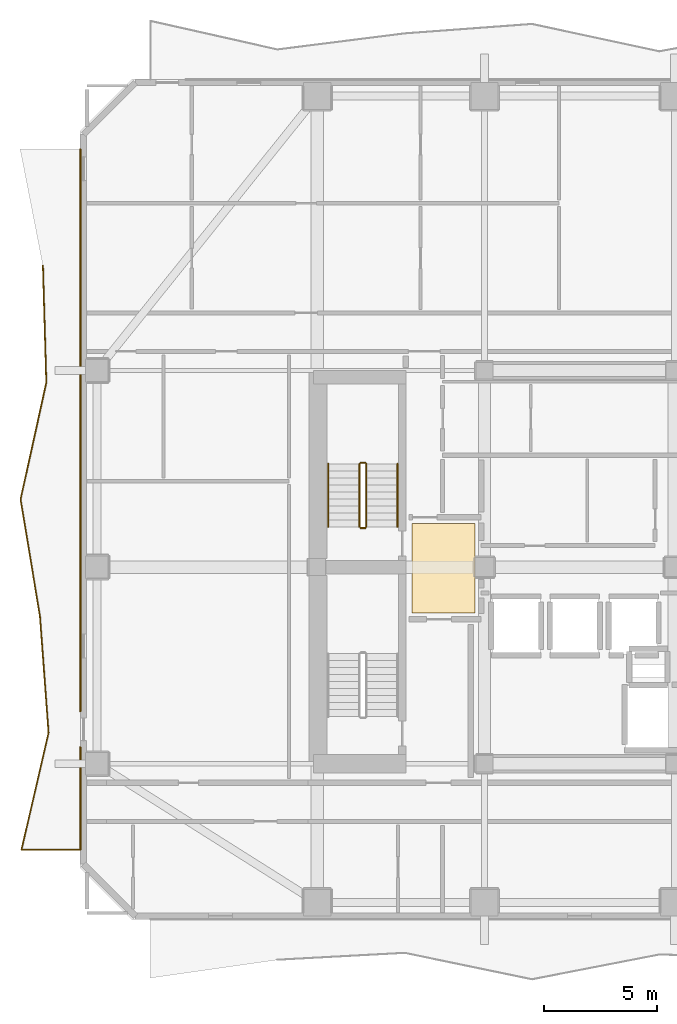
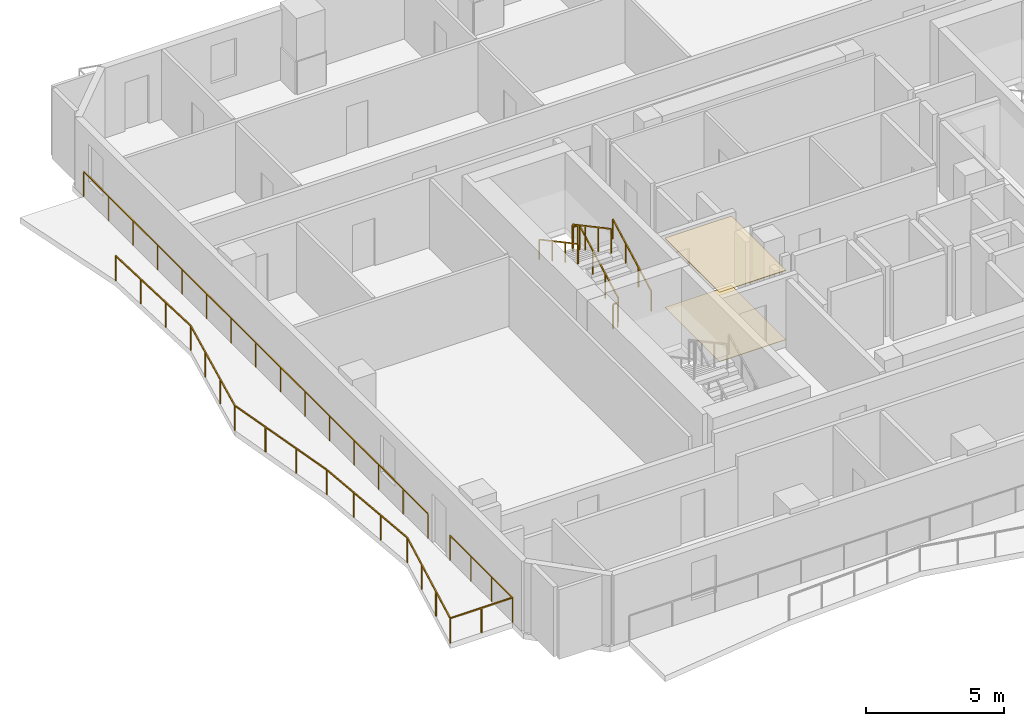
# One storey, part 8 of 10: 8 railings, 2 coverings.
"""IFC4 building model written with IfcOpenShell, lengths in metres."""

import ifcopenshell
import ifcopenshell.guid

model = None  # the IFC model being written
_history = None  # IfcOwnerHistory: only IFC2X3 demands one
_inside = {}  # id of a spatial element -> (the spatial element, [elements in it])
_under = {}  # id of a project, library or spatial element -> (it, [spatial elements below it])
_declared = {}  # id of a project -> (the project, [libraries it declares])
_typed = {}  # id of a type object -> (the type object, [elements of that type])
_made_of = {}  # id of a material, layer set ... -> (it, [elements and type objects made of it])


def new_model(schema):
    """Start an empty IFC model of exactly this schema.

    Asked for "IFC4X3", IfcOpenShell would pick the latest addendum, in which some entities
    have other attributes; the version numbers below select the first issue.
    IFC2X3 requires an IfcOwnerHistory on every rooted entity: one is made here for all.
    """
    global model, _history
    if schema == "IFC4X3":
        model = ifcopenshell.file(schema_version=(4, 3, 0, 0))
    else:
        model = ifcopenshell.file(schema=schema)
    _inside.clear()
    _under.clear()
    _declared.clear()
    _typed.clear()
    _made_of.clear()
    _history = None
    if model.schema == "IFC2X3":
        org = make("IfcOrganization", Name="unknown")
        user = make(
            "IfcPersonAndOrganization",
            ThePerson=make("IfcPerson", FamilyName="unknown"),
            TheOrganization=org,
        )
        app = make(
            "IfcApplication",
            ApplicationDeveloper=org,
            Version="unknown",
            ApplicationFullName="unknown",
            ApplicationIdentifier="unknown",
        )
        _history = make(
            "IfcOwnerHistory",
            OwningUser=user,
            OwningApplication=app,
            ChangeAction="ADDED",
            CreationDate=0,
        )
    return model


def make(cls, **values):
    """One entity of the class cls with the attributes given. An attribute that is None is left unset."""
    return model.create_entity(
        cls, **{name: value for name, value in values.items() if value is not None}
    )


def rooted(cls, **values):
    """An entity with a GlobalId (a new one), such as an element, a storey or a relation."""
    return make(cls, GlobalId=ifcopenshell.guid.new(), OwnerHistory=_history, **values)


def si_unit(unit_type, name, prefix=None):
    """IfcSIUnit, for example si_unit("LENGTHUNIT", "METRE", prefix="MILLI")."""
    return make("IfcSIUnit", UnitType=unit_type, Prefix=prefix, Name=name)


def assignment(units):
    """IfcUnitAssignment: the units of a project."""
    return None if units is None else make("IfcUnitAssignment", Units=units)


def point(xyz):
    """IfcCartesianPoint."""
    return None if xyz is None else make("IfcCartesianPoint", Coordinates=xyz)


def direction(xyz):
    """IfcDirection."""
    return None if xyz is None else make("IfcDirection", DirectionRatios=xyz)


def frame(location, z_axis=None, x_axis=None):
    """IfcAxis2Placement3D, a coordinate frame: its origin and axes. An axis left out is left unset."""
    return make(
        "IfcAxis2Placement3D",
        Location=point(location),
        Axis=direction(z_axis),
        RefDirection=direction(x_axis),
    )


def frame_2d(location, x_axis=None):
    """IfcAxis2Placement2D, a coordinate frame in the plane: its origin and x axis."""
    return make(
        "IfcAxis2Placement2D", Location=point(location), RefDirection=direction(x_axis)
    )


def origin():
    """The frame at (0, 0, 0) with its axes left unset."""
    return frame((0.0, 0.0, 0.0))


def origin_2d():
    """The frame at (0, 0) in the plane with its x axis left unset."""
    return frame_2d((0.0, 0.0))


def place(relative_to, where):
    """IfcLocalPlacement: puts the frame where relative to a parent placement (None: the world)."""
    return make(
        "IfcLocalPlacement", PlacementRelTo=relative_to, RelativePlacement=where
    )


def context(
    kind, dimensions, precision=None, world=None, true_north=None, identifier=None
):
    """IfcGeometricRepresentationContext, for example the 3D "Model" context."""
    return make(
        "IfcGeometricRepresentationContext",
        ContextIdentifier=identifier,
        ContextType=kind,
        CoordinateSpaceDimension=dimensions,
        Precision=precision,
        WorldCoordinateSystem=world,
        TrueNorth=true_north,
    )


def subcontext(parent, identifier, kind, view, scale=None):
    """IfcGeometricRepresentationSubContext, for example "Body" below "Model"."""
    return make(
        "IfcGeometricRepresentationSubContext",
        ContextIdentifier=identifier,
        ContextType=kind,
        ParentContext=parent,
        TargetScale=scale,
        TargetView=view,
    )


def project(units=None, contexts=None):
    """IfcProject with its units and contexts."""
    return rooted(
        "IfcProject",
        Name="project",
        RepresentationContexts=contexts,
        UnitsInContext=assignment(units),
    )


def spatial(cls, under=None, at=None, **own):
    """A site, building, storey or space (cls), placed at a placement, below another one or the project."""
    s = rooted(cls, ObjectPlacement=at, **own)
    if under is not None:
        _under.setdefault(under.id(), (under, []))[1].append(s)
    return s


def polyline(points):
    """IfcPolyline through the points."""
    return make("IfcPolyline", Points=[point(p) for p in points])


def profile(cls, at=None, kind="AREA", **sizes):
    """A parametric profile (cls). Its sizes go by their IFC names, for example OverallWidth=200.0."""
    return make(cls, ProfileType=kind, Position=at, **sizes)


def rectangle(**sizes):
    """IfcRectangleProfileDef."""
    return profile("IfcRectangleProfileDef", **sizes)


def outline(outer, holes=None, kind="AREA"):
    """IfcArbitraryClosedProfileDef: a profile drawn as a closed curve; with holes, ...WithVoids."""
    if holes is None:
        return make("IfcArbitraryClosedProfileDef", ProfileType=kind, OuterCurve=outer)
    return make(
        "IfcArbitraryProfileDefWithVoids",
        ProfileType=kind,
        OuterCurve=outer,
        InnerCurves=holes,
    )


def extrude(swept, where, along, depth):
    """IfcExtrudedAreaSolid: the profile swept, set in the frame where, extruded along a direction by depth."""
    return make(
        "IfcExtrudedAreaSolid",
        SweptArea=swept,
        Position=where,
        ExtrudedDirection=direction(along),
        Depth=depth,
    )


def shape(context_of_items, identifier, shape_type, items):
    """IfcShapeRepresentation: the items that make up one representation, for example the "Body"."""
    return make(
        "IfcShapeRepresentation",
        ContextOfItems=context_of_items,
        RepresentationIdentifier=identifier,
        RepresentationType=shape_type,
        Items=items,
    )


def material(Name=None, Category=None):
    """IfcMaterial."""
    return make("IfcMaterial", Name=Name, Category=Category)


def layer(
    of_material, thickness, ventilated=None, Name=None, Category=None, Priority=None
):
    """IfcMaterialLayer: one layer of a wall or slab, of a material (None: an air gap)."""
    return make(
        "IfcMaterialLayer",
        Material=of_material,
        LayerThickness=thickness,
        IsVentilated=ventilated,
        Name=Name,
        Category=Category,
        Priority=Priority,
    )


def layer_set(layers, Name=None):
    """IfcMaterialLayerSet."""
    return make("IfcMaterialLayerSet", MaterialLayers=layers, LayerSetName=Name)


def made_of(thing, what):
    """Note that an element or type object is made of a material, layer set ...; save() writes the relation."""
    if what is not None:
        _made_of.setdefault(what.id(), (what, []))[1].append(thing)
    return thing


def type_object(cls, material=None, **own):
    """A type object (cls), such as IfcWallType, which elements share."""
    return made_of(rooted(cls, **own), material)


def element(
    cls,
    number,
    at=None,
    inside=None,
    cuts=None,
    type_object=None,
    material=None,
    context=None,
    identifier="Body",
    shape_type=None,
    held_by="IfcProductDefinitionShape",
    body=None,
    shapes=None,
    **own,
):
    """One element of the class cls, such as IfcWall. Its Tag is "e" and its number.

    at: its placement. inside: the storey or other place that contains it. cuts: it is an
    opening in that element (IfcRelVoidsElement). A single representation is given by context,
    identifier, shape_type and body (its items); several are given by shapes. held_by: the class
    of the entity that holds the representations. save() writes the other relations.
    """
    e = rooted(cls, Tag="e%d" % number, ObjectPlacement=at, **own)
    if body is not None:
        shapes = [shape(context, identifier, shape_type, body)]
    if shapes is not None:
        e.Representation = make(held_by, Representations=shapes)
    if inside is not None:
        _inside.setdefault(inside.id(), (inside, []))[1].append(e)
    if cuts is not None:
        rooted(
            "IfcRelVoidsElement", RelatingBuildingElement=cuts, RelatedOpeningElement=e
        )
    if type_object is not None:
        _typed.setdefault(type_object.id(), (type_object, []))[1].append(e)
    return made_of(e, material)


def aggregate(whole, parts):
    """IfcRelAggregates: a whole, such as a stair, and the parts it consists of."""
    return rooted("IfcRelAggregates", RelatingObject=whole, RelatedObjects=parts)


def save(model, path):
    """Write the relations noted so far, then the file.

    IfcRelAggregates (storeys below a building ...), IfcRelContainedInSpatialStructure (elements
    in a storey), IfcRelDefinesByType, IfcRelAssociatesMaterial and IfcRelDeclares: one each for
    every whole, place, type object, material and project.
    """
    for whole, parts in _under.values():
        aggregate(whole, parts)
    for where, things in _inside.values():
        rooted(
            "IfcRelContainedInSpatialStructure",
            RelatedElements=things,
            RelatingStructure=where,
        )
    for kind, things in _typed.values():
        rooted("IfcRelDefinesByType", RelatedObjects=things, RelatingType=kind)
    for what, things in _made_of.values():
        rooted("IfcRelAssociatesMaterial", RelatedObjects=things, RelatingMaterial=what)
    for by, libraries in _declared.values():
        rooted("IfcRelDeclares", RelatingContext=by, RelatedDefinitions=libraries)
    model.write(path)


model = new_model("IFC4")

# Units and contexts
model_context = context("Model", 3, precision=1e-05, world=origin(), true_north=direction((0.0, 1.0)))
body_context = subcontext(model_context, "Body", "Model", "MODEL_VIEW")
ifc_project = project(units=[si_unit("LENGTHUNIT", "METRE"), si_unit("AREAUNIT", "SQUARE_METRE"), si_unit("VOLUMEUNIT", "CUBIC_METRE"), si_unit("PLANEANGLEUNIT", "RADIAN"), si_unit("MASSUNIT", "GRAM", prefix="KILO")], contexts=[model_context])

# Site, building, storey
site_placement = place(None, origin())
site = spatial("IfcSite", under=ifc_project, at=site_placement, CompositionType="ELEMENT")
building_placement = place(site_placement, origin())
building = spatial("IfcBuilding", under=site, at=building_placement, Name="Solanera Arch Residences", CompositionType="ELEMENT")
storey_placement = place(building_placement, frame((0.0, 0.0, 183.52001953125)))
storey = spatial("IfcBuildingStorey", under=building, at=storey_placement, Name="L53", CompositionType="ELEMENT", Elevation=183.52001953125)

# Railings
ifc_material_1 = material(Name="Steel S355 (ASTM A992 / A572 Grade 50)", Category="steel")
railing_type_1 = type_object("IfcRailingType", Name="Balustrade Railing BL-1100", PredefinedType="BALUSTRADE", material=ifc_material_1)
railing_1_placement = place(storey_placement, frame((1.257080078125, 44.032958984375, 0.0)))
element("IfcRailing", 1, at=railing_1_placement, inside=storey, type_object=railing_type_1, Name="L53 W Balcony Balustrade 1", PredefinedType="BALUSTRADE", context=body_context, shape_type="SweptSolid", body=[
    extrude(rectangle(XDim=0.048095703125, YDim=0.048095703125, at=origin_2d()), frame((0.0, 0.0, 1.09619140625), z_axis=(0.029004804967, -0.999579272138, 0.0), x_axis=(0.999579272138, 0.029004804967, 0.0)), (0.0, 0.0, 1.0), 5.168212890625),
    extrude(rectangle(XDim=0.048095703125, YDim=0.048095703125, at=origin_2d()), frame((0.14990234375, -5.166015625, 1.09619140625), z_axis=(-0.215254354327, -0.976558018217, 0.0), x_axis=(0.976558018217, -0.215254354327, 0.0)), (0.0, 0.0, 1.0), 5.291015625),
    extrude(rectangle(XDim=0.048095703125, YDim=0.048095703125, at=origin_2d()), frame((-0.989013671875, -10.3330078125, 1.09619140625), z_axis=(0.16379426133, -0.986494520996, 0.0), x_axis=(0.986494520996, 0.16379426133, 0.0)), (0.0, 0.0, 1.0), 5.23779296875),
    extrude(rectangle(XDim=0.048095703125, YDim=0.048095703125, at=origin_2d()), frame((-0.131103515625, -15.5, 1.09619140625), z_axis=(0.073383836115, -0.997303771474, 0.0), x_axis=(0.997303771474, 0.073383836115, 0.0)), (0.0, 0.0, 1.0), 5.179931640625),
    extrude(rectangle(XDim=0.048095703125, YDim=0.048095703125, at=origin_2d()), frame((0.2490234375, -20.666015625, 1.09619140625), z_axis=(-0.225340258315, -0.974280128086, 0.0), x_axis=(0.974280128086, -0.225340258315, 0.0)), (0.0, 0.0, 1.0), 5.303466796875),
    extrude(rectangle(XDim=0.048095703125, YDim=0.048095703125, at=origin_2d()), frame((-0.946044921875, -25.8330078125, 1.09619140625), z_axis=(1.0, 0.0, 0.0), x_axis=(0.0, 1.0, 0.0)), (0.0, 0.0, 1.0), 2.60888671875),
    extrude(rectangle(XDim=0.048095703125, YDim=0.048095703125, at=origin_2d()), frame((1.662841796875, -25.8330078125, 1.09619140625), z_axis=(0.0, 1.0, 0.0), x_axis=(-1.0, 0.0, 0.0)), (0.0, 0.0, 1.0), 4.52197265625),
    extrude(rectangle(XDim=0.0419921875, YDim=0.0419921875, at=origin_2d()), origin(), (0.0, 0.0, 1.0), 1.072021484375),
    extrude(rectangle(XDim=0.0419921875, YDim=0.0419921875, at=origin_2d()), frame((0.050048828125, -1.721923828125, 0.0)), (0.0, 0.0, 1.0), 1.072021484375),
    extrude(rectangle(XDim=0.0419921875, YDim=0.0419921875, at=origin_2d()), frame((0.099853515625, -3.444091796875, 0.0)), (0.0, 0.0, 1.0), 1.072021484375),
    extrude(rectangle(XDim=0.0419921875, YDim=0.0419921875, at=origin_2d()), frame((0.14990234375, -5.166015625, 0.0)), (0.0, 0.0, 1.0), 1.072021484375),
    extrude(rectangle(XDim=0.0419921875, YDim=0.0419921875, at=origin_2d()), frame((-0.229736328125, -6.888427734375, 0.0)), (0.0, 0.0, 1.0), 1.072021484375),
    extrude(rectangle(XDim=0.0419921875, YDim=0.0419921875, at=origin_2d()), frame((-0.609375, -8.610595703125, 0.0)), (0.0, 0.0, 1.0), 1.072021484375),
    extrude(rectangle(XDim=0.0419921875, YDim=0.0419921875, at=origin_2d()), frame((-0.989013671875, -10.3330078125, 0.0)), (0.0, 0.0, 1.0), 1.072021484375),
    extrude(rectangle(XDim=0.0419921875, YDim=0.0419921875, at=origin_2d()), frame((-0.703125, -12.055419921875, 0.0)), (0.0, 0.0, 1.0), 1.072021484375),
    extrude(rectangle(XDim=0.0419921875, YDim=0.0419921875, at=origin_2d()), frame((-0.4169921875, -13.777587890625, 0.0)), (0.0, 0.0, 1.0), 1.072021484375),
    extrude(rectangle(XDim=0.0419921875, YDim=0.0419921875, at=origin_2d()), frame((-0.131103515625, -15.5, 0.0)), (0.0, 0.0, 1.0), 1.072021484375),
    extrude(rectangle(XDim=0.0419921875, YDim=0.0419921875, at=origin_2d()), frame((-0.00439453125, -17.221923828125, 0.0)), (0.0, 0.0, 1.0), 1.072021484375),
    extrude(rectangle(XDim=0.0419921875, YDim=0.0419921875, at=origin_2d()), frame((0.122314453125, -18.944091796875, 0.0)), (0.0, 0.0, 1.0), 1.072021484375),
    extrude(rectangle(XDim=0.0419921875, YDim=0.0419921875, at=origin_2d()), frame((0.2490234375, -20.666015625, 0.0)), (0.0, 0.0, 1.0), 1.072021484375),
    extrude(rectangle(XDim=0.0419921875, YDim=0.0419921875, at=origin_2d()), frame((-0.1494140625, -22.388427734375, 0.0)), (0.0, 0.0, 1.0), 1.072021484375),
    extrude(rectangle(XDim=0.0419921875, YDim=0.0419921875, at=origin_2d()), frame((-0.547607421875, -24.110595703125, 0.0)), (0.0, 0.0, 1.0), 1.072021484375),
    extrude(rectangle(XDim=0.0419921875, YDim=0.0419921875, at=origin_2d()), frame((-0.946044921875, -25.8330078125, 0.0)), (0.0, 0.0, 1.0), 1.072021484375),
    extrude(rectangle(XDim=0.0419921875, YDim=0.0419921875, at=origin_2d()), frame((0.3583984375, -25.8330078125, 0.0)), (0.0, 0.0, 1.0), 1.072021484375),
    extrude(rectangle(XDim=0.0419921875, YDim=0.0419921875, at=origin_2d()), frame((1.662841796875, -25.8330078125, 0.0)), (0.0, 0.0, 1.0), 1.072021484375),
    extrude(rectangle(XDim=0.0419921875, YDim=0.0419921875, at=origin_2d()), frame((1.662841796875, -24.32568359375, 0.0)), (0.0, 0.0, 1.0), 1.072021484375),
    extrude(rectangle(XDim=0.0419921875, YDim=0.0419921875, at=origin_2d()), frame((1.662841796875, -22.818359375, 0.0)), (0.0, 0.0, 1.0), 1.072021484375),
    extrude(rectangle(XDim=0.0419921875, YDim=0.0419921875, at=origin_2d()), frame((1.662841796875, -21.31103515625, 0.0)), (0.0, 0.0, 1.0), 1.072021484375),
])
railing_2_placement = place(storey_placement, frame((2.919921875, 24.322021484375, 0.0)))
element("IfcRailing", 2, at=railing_2_placement, inside=storey, type_object=railing_type_1, Name="L53 W Balcony Balustrade 2", PredefinedType="BALUSTRADE", context=body_context, shape_type="SweptSolid", body=[
    extrude(rectangle(XDim=0.048095703125, YDim=0.048095703125, at=origin_2d()), frame((0.0, 0.0, 1.09619140625), z_axis=(0.0, 1.0, 0.0), x_axis=(-1.0, 0.0, 0.0)), (0.0, 0.0, 1.0), 24.8779296875),
    extrude(rectangle(XDim=0.0419921875, YDim=0.0419921875, at=origin_2d()), origin(), (0.0, 0.0, 1.0), 1.072021484375),
    extrude(rectangle(XDim=0.0419921875, YDim=0.0419921875, at=origin_2d()), frame((0.0, 1.777099609375, 0.0)), (0.0, 0.0, 1.0), 1.072021484375),
    extrude(rectangle(XDim=0.0419921875, YDim=0.0419921875, at=origin_2d()), frame((0.0, 3.553955078125, 0.0)), (0.0, 0.0, 1.0), 1.072021484375),
    extrude(rectangle(XDim=0.0419921875, YDim=0.0419921875, at=origin_2d()), frame((0.0, 5.3310546875, 0.0)), (0.0, 0.0, 1.0), 1.072021484375),
    extrude(rectangle(XDim=0.0419921875, YDim=0.0419921875, at=origin_2d()), frame((0.0, 7.10791015625, 0.0)), (0.0, 0.0, 1.0), 1.072021484375),
    extrude(rectangle(XDim=0.0419921875, YDim=0.0419921875, at=origin_2d()), frame((0.0, 8.885009765625, 0.0)), (0.0, 0.0, 1.0), 1.072021484375),
    extrude(rectangle(XDim=0.0419921875, YDim=0.0419921875, at=origin_2d()), frame((0.0, 10.661865234375, 0.0)), (0.0, 0.0, 1.0), 1.072021484375),
    extrude(rectangle(XDim=0.0419921875, YDim=0.0419921875, at=origin_2d()), frame((0.0, 12.43896484375, 0.0)), (0.0, 0.0, 1.0), 1.072021484375),
    extrude(rectangle(XDim=0.0419921875, YDim=0.0419921875, at=origin_2d()), frame((0.0, 14.216064453125, 0.0)), (0.0, 0.0, 1.0), 1.072021484375),
    extrude(rectangle(XDim=0.0419921875, YDim=0.0419921875, at=origin_2d()), frame((0.0, 15.992919921875, 0.0)), (0.0, 0.0, 1.0), 1.072021484375),
    extrude(rectangle(XDim=0.0419921875, YDim=0.0419921875, at=origin_2d()), frame((0.0, 17.77001953125, 0.0)), (0.0, 0.0, 1.0), 1.072021484375),
    extrude(rectangle(XDim=0.0419921875, YDim=0.0419921875, at=origin_2d()), frame((0.0, 19.546875, 0.0)), (0.0, 0.0, 1.0), 1.072021484375),
    extrude(rectangle(XDim=0.0419921875, YDim=0.0419921875, at=origin_2d()), frame((0.0, 21.323974609375, 0.0)), (0.0, 0.0, 1.0), 1.072021484375),
    extrude(rectangle(XDim=0.0419921875, YDim=0.0419921875, at=origin_2d()), frame((0.0, 23.100830078125, 0.0)), (0.0, 0.0, 1.0), 1.072021484375),
    extrude(rectangle(XDim=0.0419921875, YDim=0.0419921875, at=origin_2d()), frame((0.0, 24.8779296875, 0.0)), (0.0, 0.0, 1.0), 1.072021484375),
])

# Covering
ifc_material_2 = material(Name="Porcelain Acoustic Floor Tile", Category="ceramic")
ifc_layer_1 = layer(ifc_material_2, 0.02001953125)
ifc_layer_set_1 = layer_set([ifc_layer_1], Name="Porcelain Acoustic Floor Tile")
covering_type_1 = type_object("IfcCoveringType", Name="Porcelain Acoustic Floor Finish FLR-20", PredefinedType="FLOORING", material=ifc_layer_set_1)
covering_1_placement = place(storey_placement, origin())
element("IfcCovering", 3, at=covering_1_placement, inside=storey, type_object=covering_type_1, Name="L53-FFL-W Porcelain Floor Finish", PredefinedType="FLOORING", context=body_context, shape_type="SweptSolid", body=[
    extrude(outline(polyline([(20.375, 28.675048828125), (17.594970703125, 28.675048828125), (17.594970703125, 32.625), (20.375, 32.625), (20.375, 28.675048828125)])), origin(), (0.0, 0.0, 1.0), 0.02001953125),
])

# Railings
ifc_material_3 = material(Name="Steel S355 (ASTM A992 / A572 Grade 50)", Category="steel")
railing_type_2 = type_object("IfcRailingType", Name="Stair Guardrail GR-1100", PredefinedType="GUARDRAIL", material=ifc_material_3)
railing_3_placement = place(storey_placement, frame((15.570068359375, 32.47998046875, 0.15087890625)))
element("IfcRailing", 4, at=railing_3_placement, inside=storey, type_object=railing_type_2, Name="L53 ST-T1 stair guard 1", PredefinedType="GUARDRAIL", context=body_context, shape_type="SweptSolid", body=[
    extrude(rectangle(XDim=0.048095703125, YDim=0.048095703125, at=origin_2d()), frame((0.0, 0.0, 1.076171875), z_axis=(0.0, 0.881548766853, 0.472092969298), x_axis=(-1.0, 0.0, 0.0)), (0.0, 0.0, 1.0), 3.1650390625),
    extrude(rectangle(XDim=0.0419921875, YDim=0.0419921875, at=origin_2d()), origin(), (0.0, 0.0, 1.0), 1.052001953125),
    extrude(rectangle(XDim=0.0419921875, YDim=0.0419921875, at=origin_2d()), frame((0.0, 0.929931640625, 0.498046875)), (0.0, 0.0, 1.0), 1.052001953125),
    extrude(rectangle(XDim=0.0419921875, YDim=0.0419921875, at=origin_2d()), frame((0.0, 1.860107421875, 0.99609375)), (0.0, 0.0, 1.0), 1.052001953125),
    extrude(rectangle(XDim=0.0419921875, YDim=0.0419921875, at=origin_2d()), frame((0.0, 2.7900390625, 1.494140625)), (0.0, 0.0, 1.0), 1.052001953125),
])
railing_4_placement = place(storey_placement, frame((15.52001953125, 35.320068359375, 1.64501953125)))
element("IfcRailing", 5, at=railing_4_placement, inside=storey, type_object=railing_type_2, Name="L53 ST-T1 stair guard 2", PredefinedType="GUARDRAIL", context=body_context, shape_type="SweptSolid", body=[
    extrude(rectangle(XDim=0.048095703125, YDim=0.048095703125, at=origin_2d()), frame((0.0, 0.0, 1.076171875), z_axis=(-1.0, 0.0, 0.0), x_axis=(0.0, -1.0, 0.0)), (0.0, 0.0, 1.0), 0.199951171875),
    extrude(rectangle(XDim=0.0419921875, YDim=0.0419921875, at=origin_2d()), origin(), (0.0, 0.0, 1.0), 1.052001953125),
    extrude(rectangle(XDim=0.0419921875, YDim=0.0419921875, at=origin_2d()), frame((-0.199951171875, 0.0, 0.0)), (0.0, 0.0, 1.0), 1.052001953125),
])
railing_5_placement = place(storey_placement, frame((15.27001953125, 35.27001953125, 1.81103515625)))
element("IfcRailing", 6, at=railing_5_placement, inside=storey, type_object=railing_type_2, Name="L53 ST-T1 stair guard 3", PredefinedType="GUARDRAIL", context=body_context, shape_type="SweptSolid", body=[
    extrude(rectangle(XDim=0.048095703125, YDim=0.048095703125, at=origin_2d()), frame((0.0, 0.0, 1.076171875), z_axis=(0.0, -0.881580869306, 0.472033018838), x_axis=(1.0, 0.0, 0.0)), (0.0, 0.0, 1.0), 3.164794921875),
    extrude(rectangle(XDim=0.0419921875, YDim=0.0419921875, at=origin_2d()), origin(), (0.0, 0.0, 1.0), 1.052001953125),
    extrude(rectangle(XDim=0.0419921875, YDim=0.0419921875, at=origin_2d()), frame((0.0, -0.929931640625, 0.498046875)), (0.0, 0.0, 1.0), 1.052001953125),
    extrude(rectangle(XDim=0.0419921875, YDim=0.0419921875, at=origin_2d()), frame((0.0, -1.860107421875, 0.995849609375)), (0.0, 0.0, 1.0), 1.052001953125),
    extrude(rectangle(XDim=0.0419921875, YDim=0.0419921875, at=origin_2d()), frame((0.0, -2.7900390625, 1.493896484375)), (0.0, 0.0, 1.0), 1.052001953125),
])
railing_6_placement = place(storey_placement, frame((15.52001953125, 32.429931640625, -0.01513671875)))
element("IfcRailing", 7, at=railing_6_placement, inside=storey, type_object=railing_type_2, Name="L53 ST-T1 stair guard 4", PredefinedType="GUARDRAIL", context=body_context, shape_type="SweptSolid", body=[
    extrude(rectangle(XDim=0.048095703125, YDim=0.048095703125, at=origin_2d()), frame((0.0, 0.0, 1.076171875), z_axis=(-1.0, 0.0, 0.0), x_axis=(0.0, -1.0, 0.0)), (0.0, 0.0, 1.0), 0.199951171875),
    extrude(rectangle(XDim=0.0419921875, YDim=0.0419921875, at=origin_2d()), origin(), (0.0, 0.0, 1.0), 1.052001953125),
    extrude(rectangle(XDim=0.0419921875, YDim=0.0419921875, at=origin_2d()), frame((-0.199951171875, 0.0, 0.0)), (0.0, 0.0, 1.0), 1.052001953125),
])
ifc_material_4 = material(Name="Steel S355 (ASTM A992 / A572 Grade 50)", Category="steel")
railing_type_3 = type_object("IfcRailingType", Name="Stair Wall Handrail HR-920", PredefinedType="HANDRAIL", material=ifc_material_4)
railing_7_placement = place(storey_placement, frame((16.949951171875, 32.47998046875, 0.166015625)))
element("IfcRailing", 8, at=railing_7_placement, inside=storey, type_object=railing_type_3, Name="L53 ST-T1 stair handrail 1", PredefinedType="HANDRAIL", context=body_context, shape_type="SweptSolid", body=[
    extrude(rectangle(XDim=0.048095703125, YDim=0.048095703125, at=origin_2d()), frame((0.0, 0.0, 0.8759765625), z_axis=(0.0, 0.881580869306, 0.472033018838), x_axis=(-1.0, 0.0, 0.0)), (0.0, 0.0, 1.0), 3.164794921875),
    extrude(rectangle(XDim=0.0419921875, YDim=0.0419921875, at=origin_2d()), origin(), (0.0, 0.0, 1.0), 0.851806640625),
    extrude(rectangle(XDim=0.0419921875, YDim=0.0419921875, at=origin_2d()), frame((0.0, 0.929931640625, 0.498046875)), (0.0, 0.0, 1.0), 0.851806640625),
    extrude(rectangle(XDim=0.0419921875, YDim=0.0419921875, at=origin_2d()), frame((0.0, 1.860107421875, 0.995849609375)), (0.0, 0.0, 1.0), 0.851806640625),
    extrude(rectangle(XDim=0.0419921875, YDim=0.0419921875, at=origin_2d()), frame((0.0, 2.7900390625, 1.493896484375)), (0.0, 0.0, 1.0), 0.851806640625),
])
railing_8_placement = place(storey_placement, frame((13.889892578125, 35.27001953125, 1.825927734375)))
element("IfcRailing", 9, at=railing_8_placement, inside=storey, type_object=railing_type_3, Name="L53 ST-T1 stair handrail 2", PredefinedType="HANDRAIL", context=body_context, shape_type="SweptSolid", body=[
    extrude(rectangle(XDim=0.048095703125, YDim=0.048095703125, at=origin_2d()), frame((0.0, 0.0, 0.8759765625), z_axis=(0.0, -0.881548766853, 0.472092969298), x_axis=(1.0, 0.0, 0.0)), (0.0, 0.0, 1.0), 3.1650390625),
    extrude(rectangle(XDim=0.0419921875, YDim=0.0419921875, at=origin_2d()), origin(), (0.0, 0.0, 1.0), 0.851806640625),
    extrude(rectangle(XDim=0.0419921875, YDim=0.0419921875, at=origin_2d()), frame((0.0, -0.929931640625, 0.498046875)), (0.0, 0.0, 1.0), 0.851806640625),
    extrude(rectangle(XDim=0.0419921875, YDim=0.0419921875, at=origin_2d()), frame((0.0, -1.860107421875, 0.99609375)), (0.0, 0.0, 1.0), 0.851806640625),
    extrude(rectangle(XDim=0.0419921875, YDim=0.0419921875, at=origin_2d()), frame((0.0, -2.7900390625, 1.494140625)), (0.0, 0.0, 1.0), 0.851806640625),
])

# Covering
ifc_material_5 = material(Name="Mineral Fibre Acoustic Ceiling Board", Category="gypsum")
ifc_layer_2 = layer(ifc_material_5, 0.02490234375)
ifc_layer_set_2 = layer_set([ifc_layer_2], Name="Mineral Fibre Acoustic Ceiling Board")
covering_type_2 = type_object("IfcCoveringType", Name="Suspended Acoustic Ceiling Board CLG-25", PredefinedType="CEILING", material=ifc_layer_set_2)
covering_2_placement = place(storey_placement, frame((0.0, 0.0, 3.054931640625)))
element("IfcCovering", 10, at=covering_2_placement, inside=storey, type_object=covering_type_2, Name="L53-FFL-W Acoustic Ceiling", PredefinedType="CEILING", context=body_context, shape_type="SweptSolid", body=[
    extrude(outline(polyline([(20.375, 28.675048828125), (17.594970703125, 28.675048828125), (17.594970703125, 32.625), (20.375, 32.625), (20.375, 28.675048828125)])), origin(), (0.0, 0.0, 1.0), 0.025146484375),
])

save(model, "model.ifc")
